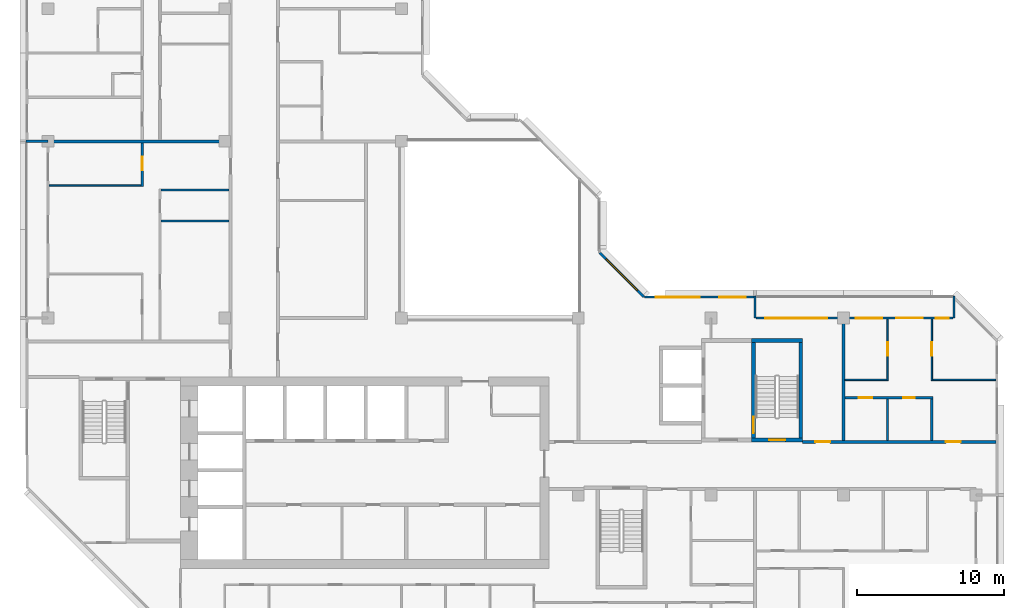
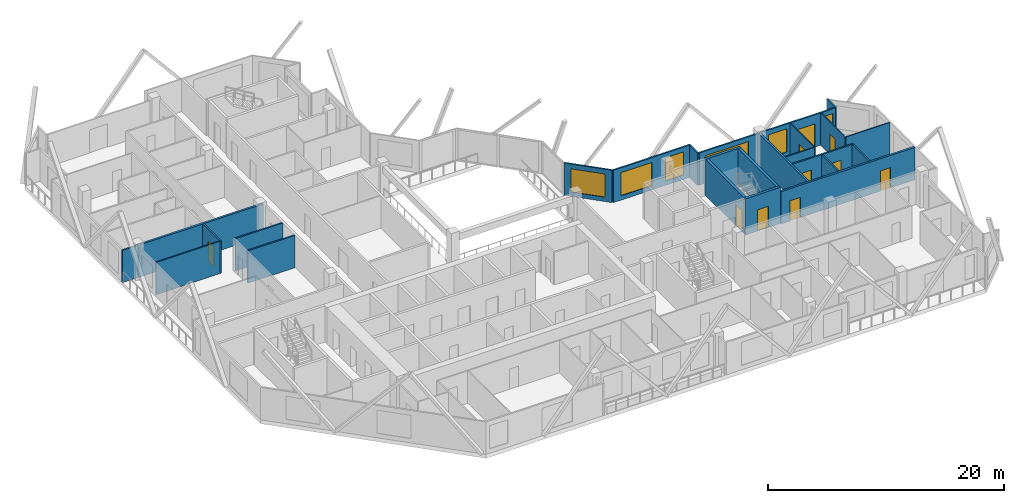
# One storey, part 8 of 13: 24 walls, 10 doors, 6 windows, 16 openings.
"""IFC4 building model written with IfcOpenShell, lengths in metres."""

from ifc_helpers import new_model, si_unit, direction, frame, frame_2d, origin, place, context, subcontext, project, spatial, rectangle, extrude, material, layer, layer_set, type_object, element, fill, save


model = new_model("IFC4")

# Units and contexts
model_context = context("Model", 3, precision=1e-05, world=origin(), true_north=direction((0.0, 1.0)))
body_context = subcontext(model_context, "Body", "Model", "MODEL_VIEW")
ifc_project = project(units=[si_unit("LENGTHUNIT", "METRE"), si_unit("AREAUNIT", "SQUARE_METRE"), si_unit("VOLUMEUNIT", "CUBIC_METRE"), si_unit("PLANEANGLEUNIT", "RADIAN"), si_unit("MASSUNIT", "GRAM", prefix="KILO")], contexts=[model_context])

# Site, building, storey
site_placement = place(None, origin())
site = spatial("IfcSite", under=ifc_project, at=site_placement, CompositionType="ELEMENT")
building_placement = place(site_placement, origin())
building = spatial("IfcBuilding", under=site, at=building_placement, Name="Chenar Terraces", CompositionType="ELEMENT")
storey_placement = place(building_placement, frame((0.0, 0.0, 288.39990234375)))
storey = spatial("IfcBuildingStorey", under=building, at=storey_placement, Name="L67", CompositionType="ELEMENT", Elevation=288.39990234375)

# Wall, opening, door
ifc_material_1 = material(Name="Concrete C50/60", Category="concrete")
ifc_layer_1 = layer(ifc_material_1, 0.25)
ifc_layer_set_1 = layer_set([ifc_layer_1], Name="Concrete C50/60")
wall_type_1 = type_object("IfcWallType", Name="Core wall 250 Concrete C50/60", PredefinedType="SHEAR", material=ifc_layer_set_1)
wall_1_placement = place(storey_placement, frame((47.77490234375, 15.72509765625, 0.0), z_axis=(0.0, 0.0, 1.0), x_axis=(1.0, 0.0, 0.0)))
wall_1 = element("IfcWall", 1, at=wall_1_placement, inside=storey, type_object=wall_type_1, Name="Core wall ST3_S L67", PredefinedType="SHEAR", context=body_context, shape_type="SweptSolid", body=[
    extrude(rectangle(XDim=3.4501953125, YDim=0.25, at=frame_2d((1.72509765625, 0.0))), origin(), (0.0, 0.0, 1.0), 3.75),
])
opening_1_placement = place(wall_1_placement, frame((1.175048828125, 0.0, 0.0)))
opening_1 = element("IfcOpeningElement", 2, at=opening_1_placement, cuts=wall_1, Name="Opening DL67-C8", PredefinedType="OPENING", context=body_context, shape_type="SweptSolid", body=[
    extrude(rectangle(XDim=1.10009765625, YDim=2.199951171875, at=frame_2d((0.550048828125, 1.10009765625))), frame((0.0, 0.135009765625, 0.0), z_axis=(0.0, -1.0, 0.0), x_axis=(1.0, 0.0, 0.0)), (0.0, 0.0, 1.0), 0.27001953125),
])
ifc_material_2 = material(Name="Steel-framed fire-resisting door leaf", Category="steel")
door_type_1 = type_object("IfcDoorType", Name="Stair fire door FD60 1100 x 2200", OperationType="SINGLE_SWING_LEFT", PredefinedType="DOOR", material=ifc_material_2)
door_1_placement = place(opening_1_placement, frame((1.10009765625, 0.0, 0.0), z_axis=(0.0, 0.0, 1.0), x_axis=(-1.0, 0.0, 0.0)))
door_1 = element("IfcDoor", 3, at=door_1_placement, inside=storey, type_object=door_type_1, Name="Stair door DL67-C8", OperationType="SINGLE_SWING_LEFT", OverallHeight=2.199951171875, OverallWidth=1.10009765625, PredefinedType="DOOR", context=body_context, shape_type="SweptSolid", body=[
    extrude(rectangle(XDim=1.10009765625, YDim=2.199951171875, at=frame_2d((0.550048828125, 1.10009765625))), frame((0.0, 0.02490234375, 0.0), z_axis=(0.0, -1.0, 0.0), x_axis=(1.0, 0.0, 0.0)), (0.0, 0.0, 1.0), 0.050048828125),
])
fill(opening_1, door_1)

# Wall
wall_2_placement = place(storey_placement, frame((47.77490234375, 22.47509765625, 0.0), z_axis=(0.0, 0.0, 1.0), x_axis=(1.0, 0.0, 0.0)))
element("IfcWall", 4, at=wall_2_placement, inside=storey, type_object=wall_type_1, Name="Core wall ST3_N L67", PredefinedType="SHEAR", context=body_context, shape_type="SweptSolid", body=[
    extrude(rectangle(XDim=3.4501953125, YDim=0.25, at=frame_2d((1.72509765625, 0.0))), origin(), (0.0, 0.0, 1.0), 3.75),
])

# Wall, opening, door
wall_3_placement = place(storey_placement, frame((47.89990234375, 15.85009765625, 0.0), z_axis=(0.0, 0.0, 1.0), x_axis=(0.0, 1.0, 0.0)))
wall_3 = element("IfcWall", 5, at=wall_3_placement, inside=storey, type_object=wall_type_1, Name="Core wall ST3_W L67", PredefinedType="SHEAR", context=body_context, shape_type="SweptSolid", body=[
    extrude(rectangle(XDim=6.5, YDim=0.25, at=frame_2d((3.25, 0.0))), origin(), (0.0, 0.0, 1.0), 3.75),
])
opening_2_placement = place(wall_3_placement, frame((0.35009765625, 0.0, 0.0)))
opening_2 = element("IfcOpeningElement", 6, at=opening_2_placement, cuts=wall_3, Name="Opening DL67-C11", PredefinedType="OPENING", context=body_context, shape_type="SweptSolid", body=[
    extrude(rectangle(XDim=1.10009765625, YDim=2.199951171875, at=frame_2d((0.550048828125, 1.10009765625))), frame((0.0, 0.135009765625, 0.0), z_axis=(0.0, -1.0, 0.0), x_axis=(1.0, 0.0, 0.0)), (0.0, 0.0, 1.0), 0.27001953125),
])
door_2_placement = place(opening_2_placement, frame((1.10009765625, 0.0, 0.0), z_axis=(0.0, 0.0, 1.0), x_axis=(-1.0, 0.0, 0.0)))
door_2 = element("IfcDoor", 7, at=door_2_placement, inside=storey, type_object=door_type_1, Name="Stair door DL67-C11", OperationType="SINGLE_SWING_RIGHT", OverallHeight=2.199951171875, OverallWidth=1.10009765625, PredefinedType="DOOR", context=body_context, shape_type="SweptSolid", body=[
    extrude(rectangle(XDim=1.10009765625, YDim=2.199951171875, at=frame_2d((0.550048828125, 1.10009765625))), frame((0.0, 0.02490234375, 0.0), z_axis=(0.0, -1.0, 0.0), x_axis=(1.0, 0.0, 0.0)), (0.0, 0.0, 1.0), 0.050048828125),
])
fill(opening_2, door_2)

# Wall
wall_4_placement = place(storey_placement, frame((51.10009765625, 15.85009765625, 0.0), z_axis=(0.0, 0.0, 1.0), x_axis=(0.0, 1.0, 0.0)))
element("IfcWall", 8, at=wall_4_placement, inside=storey, type_object=wall_type_1, Name="Core wall ST3_E L67", PredefinedType="SHEAR", context=body_context, shape_type="SweptSolid", body=[
    extrude(rectangle(XDim=6.5, YDim=0.25, at=frame_2d((3.25, 0.0))), origin(), (0.0, 0.0, 1.0), 3.75),
])

# Wall, openings, doors
ifc_material_3 = material(Name="Gypsum board on steel studs with fire boards", Category="steel")
ifc_layer_2 = layer(ifc_material_3, 0.199951171875)
ifc_layer_set_2 = layer_set([ifc_layer_2], Name="Gypsum board on steel studs with fire boards")
wall_type_2 = type_object("IfcWallType", Name="Corridor wall 200", PredefinedType="PARTITIONING", material=ifc_layer_set_2)
wall_5_placement = place(storey_placement, frame((51.22509765625, 15.60009765625, 0.0), z_axis=(0.0, 0.0, 1.0), x_axis=(1.0, 0.0, 0.0)))
wall_5 = element("IfcWall", 9, at=wall_5_placement, inside=storey, type_object=wall_type_2, Name="Partition L67-063", PredefinedType="PARTITIONING", context=body_context, shape_type="SweptSolid", body=[
    extrude(rectangle(XDim=13.125, YDim=0.199951171875, at=frame_2d((6.5625, 0.0))), origin(), (0.0, 0.0, 1.0), 3.35009765625),
])
opening_3_placement = place(wall_5_placement, frame((9.72509765625, 0.0, 0.0)))
opening_3 = element("IfcOpeningElement", 10, at=opening_3_placement, cuts=wall_5, Name="Opening DL67-8", PredefinedType="OPENING", context=body_context, shape_type="SweptSolid", body=[
    extrude(rectangle(XDim=1.0, YDim=2.10009765625, at=frame_2d((0.5, 1.050048828125))), frame((0.0, 0.10986328125, 0.0), z_axis=(0.0, -1.0, 0.0), x_axis=(1.0, 0.0, 0.0)), (0.0, 0.0, 1.0), 0.219970703125),
])
opening_4_placement = place(wall_5_placement, frame((0.875, 0.0, 0.0)))
opening_4 = element("IfcOpeningElement", 11, at=opening_4_placement, cuts=wall_5, Name="Opening DL67-33", PredefinedType="OPENING", context=body_context, shape_type="SweptSolid", body=[
    extrude(rectangle(XDim=1.0, YDim=2.10009765625, at=frame_2d((0.5, 1.050048828125))), frame((0.0, 0.10986328125, 0.0), z_axis=(0.0, -1.0, 0.0), x_axis=(1.0, 0.0, 0.0)), (0.0, 0.0, 1.0), 0.219970703125),
])
ifc_material_4 = material(Name="Steel-framed fire-resisting door leaf", Category="steel")
door_type_2 = type_object("IfcDoorType", Name="Fire door FD30S 1000 x 2100", OperationType="SINGLE_SWING_LEFT", PredefinedType="DOOR", material=ifc_material_4)
door_3_placement = place(opening_3_placement, origin())
door_3 = element("IfcDoor", 12, at=door_3_placement, inside=storey, type_object=door_type_2, Name="Door DL67-8", OperationType="SINGLE_SWING_LEFT", OverallHeight=2.10009765625, OverallWidth=1.0, PredefinedType="DOOR", context=body_context, shape_type="SweptSolid", body=[
    extrude(rectangle(XDim=1.0, YDim=2.10009765625, at=frame_2d((0.5, 1.050048828125))), frame((0.0, 0.02490234375, 0.0), z_axis=(0.0, -1.0, 0.0), x_axis=(1.0, 0.0, 0.0)), (0.0, 0.0, 1.0), 0.050048828125),
])
fill(opening_3, door_3)
door_4_placement = place(opening_4_placement, origin())
door_4 = element("IfcDoor", 13, at=door_4_placement, inside=storey, type_object=door_type_2, Name="Door DL67-33", OperationType="SINGLE_SWING_RIGHT", OverallHeight=2.10009765625, OverallWidth=1.0, PredefinedType="DOOR", context=body_context, shape_type="SweptSolid", body=[
    extrude(rectangle(XDim=1.0, YDim=2.10009765625, at=frame_2d((0.5, 1.050048828125))), frame((0.0, 0.02490234375, 0.0), z_axis=(0.0, -1.0, 0.0), x_axis=(1.0, 0.0, 0.0)), (0.0, 0.0, 1.0), 0.050048828125),
])
fill(opening_4, door_4)

# Wall, openings, windows
ifc_material_5 = material(Name="Aluminium framed glazing", Category="aluminium")
ifc_layer_3 = layer(ifc_material_5, 0.14990234375)
ifc_layer_set_3 = layer_set([ifc_layer_3], Name="Aluminium framed glazing")
wall_type_3 = type_object("IfcWallType", Name="Glazed flush facade wall 150", PredefinedType="SOLIDWALL", material=ifc_layer_set_3)
wall_6_placement = place(storey_placement, frame((47.925048828125, 25.425048828125, 0.0), z_axis=(0.0, 0.0, 1.0), x_axis=(-1.0, 0.0, 0.0)))
wall_6 = element("IfcWall", 14, at=wall_6_placement, inside=storey, type_object=wall_type_3, Name="Glazed flush facade wall", PredefinedType="SOLIDWALL", context=body_context, shape_type="SweptSolid", body=[
    extrude(rectangle(XDim=7.425048828125, YDim=0.14990234375, at=frame_2d((3.71240234375, 0.0))), origin(), (0.0, 0.0, 1.0), 3.35009765625),
])
opening_5_placement = place(wall_6_placement, frame((0.5625, 0.0, 0.449951171875)))
opening_5 = element("IfcOpeningElement", 15, at=opening_5_placement, cuts=wall_6, Name="Opening W180x240", PredefinedType="OPENING", context=body_context, shape_type="SweptSolid", body=[
    extrude(rectangle(XDim=1.800048828125, YDim=2.39990234375, at=frame_2d((0.89990234375, 1.199951171875))), frame((0.0, 0.0849609375, 0.0), z_axis=(0.0, -1.0, 0.0), x_axis=(1.0, 0.0, 0.0)), (0.0, 0.0, 1.0), 0.169921875),
])
opening_6_placement = place(wall_6_placement, frame((3.675048828125, 0.0, 0.449951171875)))
opening_6 = element("IfcOpeningElement", 16, at=opening_6_placement, cuts=wall_6, Name="Opening W300x240", PredefinedType="OPENING", context=body_context, shape_type="SweptSolid", body=[
    extrude(rectangle(XDim=3.0, YDim=2.39990234375, at=frame_2d((1.5, 1.199951171875))), frame((0.0, 0.0849609375, 0.0), z_axis=(0.0, -1.0, 0.0), x_axis=(1.0, 0.0, 0.0)), (0.0, 0.0, 1.0), 0.169921875),
])
ifc_material_6 = material(Name="Low emissivity double glazing, aluminium frame", Category="aluminium")
window_type_1 = type_object("IfcWindowType", Name="Fixed light 1800 x 2400", PartitioningType="SINGLE_PANEL", PredefinedType="WINDOW", material=ifc_material_6)
window_1_placement = place(opening_5_placement, origin())
window_1 = element("IfcWindow", 17, at=window_1_placement, inside=storey, type_object=window_type_1, Name="Window", OverallHeight=2.39990234375, OverallWidth=1.800048828125, PartitioningType="SINGLE_PANEL", PredefinedType="WINDOW", context=body_context, shape_type="SweptSolid", body=[
    extrude(rectangle(XDim=1.800048828125, YDim=2.39990234375, at=frame_2d((0.89990234375, 1.199951171875))), frame((0.0, 0.030029296875, 0.0), z_axis=(0.0, -1.0, 0.0), x_axis=(1.0, 0.0, 0.0)), (0.0, 0.0, 1.0), 0.06005859375),
])
fill(opening_5, window_1)
ifc_material_7 = material(Name="Low emissivity double glazing, aluminium frame", Category="aluminium")
window_type_2 = type_object("IfcWindowType", Name="Fixed light 3000 x 2400", PartitioningType="SINGLE_PANEL", PredefinedType="WINDOW", material=ifc_material_7)
window_2_placement = place(opening_6_placement, origin())
window_2 = element("IfcWindow", 18, at=window_2_placement, inside=storey, type_object=window_type_2, Name="Window", OverallHeight=2.39990234375, OverallWidth=3.0, PartitioningType="SINGLE_PANEL", PredefinedType="WINDOW", context=body_context, shape_type="SweptSolid", body=[
    extrude(rectangle(XDim=3.0, YDim=2.39990234375, at=frame_2d((1.5, 1.199951171875))), frame((0.0, 0.030029296875, 0.0), z_axis=(0.0, -1.0, 0.0), x_axis=(1.0, 0.0, 0.0)), (0.0, 0.0, 1.0), 0.06005859375),
])
fill(opening_6, window_2)

# Wall, openings, windows, door
ifc_material_8 = material(Name="Aluminium framed glazing", Category="aluminium")
ifc_layer_4 = layer(ifc_material_8, 0.14990234375)
ifc_layer_set_4 = layer_set([ifc_layer_4], Name="Aluminium framed glazing")
wall_type_4 = type_object("IfcWallType", Name="Glazed loggia back wall 150", PredefinedType="SOLIDWALL", material=ifc_layer_set_4)
wall_7_placement = place(storey_placement, frame((61.425048828125, 24.0, 0.0), z_axis=(0.0, 0.0, 1.0), x_axis=(-1.0, 0.0, 0.0)))
wall_7 = element("IfcWall", 19, at=wall_7_placement, inside=storey, type_object=wall_type_4, Name="Glazed loggia back wall", PredefinedType="SOLIDWALL", context=body_context, shape_type="SweptSolid", body=[
    extrude(rectangle(XDim=13.35009765625, YDim=0.14990234375, at=frame_2d((6.675048828125, 0.0))), origin(), (0.0, 0.0, 1.0), 3.35009765625),
])
opening_7_placement = place(wall_7_placement, frame((0.262451171875, 0.0, 0.449951171875)))
opening_7 = element("IfcOpeningElement", 20, at=opening_7_placement, cuts=wall_7, Name="Opening W90x240", PredefinedType="OPENING", context=body_context, shape_type="SweptSolid", body=[
    extrude(rectangle(XDim=0.89990234375, YDim=2.39990234375, at=frame_2d((0.449951171875, 1.199951171875))), frame((0.0, 0.0849609375, 0.0), z_axis=(0.0, -1.0, 0.0), x_axis=(1.0, 0.0, 0.0)), (0.0, 0.0, 1.0), 0.169921875),
])
opening_8_placement = place(wall_7_placement, frame((2.02490234375, 0.0, 0.0)))
opening_8 = element("IfcOpeningElement", 21, at=opening_8_placement, cuts=wall_7, Name="Opening DL67-G1", PredefinedType="OPENING", context=body_context, shape_type="SweptSolid", body=[
    extrude(rectangle(XDim=1.800048828125, YDim=2.39990234375, at=frame_2d((0.89990234375, 1.199951171875))), frame((0.0, 0.0849609375, 0.0), z_axis=(0.0, -1.0, 0.0), x_axis=(1.0, 0.0, 0.0)), (0.0, 0.0, 1.0), 0.169921875),
])
opening_9_placement = place(wall_7_placement, frame((4.77490234375, 0.0, 0.449951171875)))
opening_9 = element("IfcOpeningElement", 22, at=opening_9_placement, cuts=wall_7, Name="Opening W180x240", PredefinedType="OPENING", context=body_context, shape_type="SweptSolid", body=[
    extrude(rectangle(XDim=1.800048828125, YDim=2.39990234375, at=frame_2d((0.89990234375, 1.199951171875))), frame((0.0, 0.0849609375, 0.0), z_axis=(0.0, -1.0, 0.0), x_axis=(1.0, 0.0, 0.0)), (0.0, 0.0, 1.0), 0.169921875),
])
opening_10_placement = place(wall_7_placement, frame((8.53759765625, 0.0, 0.449951171875)))
opening_10 = element("IfcOpeningElement", 23, at=opening_10_placement, cuts=wall_7, Name="Opening W420x240", PredefinedType="OPENING", context=body_context, shape_type="SweptSolid", body=[
    extrude(rectangle(XDim=4.199951171875, YDim=2.39990234375, at=frame_2d((2.10009765625, 1.199951171875))), frame((0.0, 0.0849609375, 0.0), z_axis=(0.0, -1.0, 0.0), x_axis=(1.0, 0.0, 0.0)), (0.0, 0.0, 1.0), 0.169921875),
])
window_3_placement = place(opening_9_placement, origin())
window_3 = element("IfcWindow", 24, at=window_3_placement, inside=storey, type_object=window_type_1, Name="Window", OverallHeight=2.39990234375, OverallWidth=1.800048828125, PartitioningType="SINGLE_PANEL", PredefinedType="WINDOW", context=body_context, shape_type="SweptSolid", body=[
    extrude(rectangle(XDim=1.800048828125, YDim=2.39990234375, at=frame_2d((0.89990234375, 1.199951171875))), frame((0.0, 0.030029296875, 0.0), z_axis=(0.0, -1.0, 0.0), x_axis=(1.0, 0.0, 0.0)), (0.0, 0.0, 1.0), 0.06005859375),
])
fill(opening_9, window_3)
ifc_material_9 = material(Name="Low emissivity double glazing, aluminium frame", Category="aluminium")
window_type_3 = type_object("IfcWindowType", Name="Fixed light 4200 x 2400", PartitioningType="SINGLE_PANEL", PredefinedType="WINDOW", material=ifc_material_9)
window_4_placement = place(opening_10_placement, origin())
window_4 = element("IfcWindow", 25, at=window_4_placement, inside=storey, type_object=window_type_3, Name="Window", OverallHeight=2.39990234375, OverallWidth=4.199951171875, PartitioningType="SINGLE_PANEL", PredefinedType="WINDOW", context=body_context, shape_type="SweptSolid", body=[
    extrude(rectangle(XDim=4.199951171875, YDim=2.39990234375, at=frame_2d((2.10009765625, 1.199951171875))), frame((0.0, 0.030029296875, 0.0), z_axis=(0.0, -1.0, 0.0), x_axis=(1.0, 0.0, 0.0)), (0.0, 0.0, 1.0), 0.06005859375),
])
fill(opening_10, window_4)
ifc_material_10 = material(Name="Low emissivity double glazing, aluminium frame", Category="aluminium")
window_type_4 = type_object("IfcWindowType", Name="Fixed light 900 x 2400", PartitioningType="SINGLE_PANEL", PredefinedType="WINDOW", material=ifc_material_10)
window_5_placement = place(opening_7_placement, origin())
window_5 = element("IfcWindow", 26, at=window_5_placement, inside=storey, type_object=window_type_4, Name="Window", OverallHeight=2.39990234375, OverallWidth=0.89990234375, PartitioningType="SINGLE_PANEL", PredefinedType="WINDOW", context=body_context, shape_type="SweptSolid", body=[
    extrude(rectangle(XDim=0.89990234375, YDim=2.39990234375, at=frame_2d((0.449951171875, 1.199951171875))), frame((0.0, 0.030029296875, 0.0), z_axis=(0.0, -1.0, 0.0), x_axis=(1.0, 0.0, 0.0)), (0.0, 0.0, 1.0), 0.06005859375),
])
fill(opening_7, window_5)
ifc_material_11 = material(Name="Low emissivity double glazing, aluminium frame", Category="aluminium")
door_type_3 = type_object("IfcDoorType", Name="Loggia glazed double door 1800 x 2400", OperationType="DOUBLE_DOOR_SINGLE_SWING", PredefinedType="DOOR", material=ifc_material_11)
door_5_placement = place(opening_8_placement, frame((1.800048828125, 0.0, 0.0), z_axis=(0.0, 0.0, 1.0), x_axis=(-1.0, 0.0, 0.0)))
door_5 = element("IfcDoor", 27, at=door_5_placement, inside=storey, type_object=door_type_3, Name="Loggia glazed door", OperationType="DOUBLE_DOOR_SINGLE_SWING", OverallHeight=2.39990234375, OverallWidth=1.800048828125, PredefinedType="DOOR", context=body_context, shape_type="SweptSolid", body=[
    extrude(rectangle(XDim=1.800048828125, YDim=2.39990234375, at=frame_2d((0.89990234375, 1.199951171875))), frame((0.0, 0.02490234375, 0.0), z_axis=(0.0, -1.0, 0.0), x_axis=(1.0, 0.0, 0.0)), (0.0, 0.0, 1.0), 0.050048828125),
])
fill(opening_8, door_5)

# Walls
ifc_material_12 = material(Name="Gypsum board on steel studs", Category="steel")
ifc_layer_5 = layer(ifc_material_12, 0.10009765625)
ifc_layer_set_5 = layer_set([ifc_layer_5], Name="Gypsum board on steel studs")
wall_type_5 = type_object("IfcWallType", Name="Gypsum partition 100", PredefinedType="PARTITIONING", material=ifc_layer_set_5)
wall_8_placement = place(storey_placement, frame((0.073974609375, 33.0, 0.0), z_axis=(0.0, 0.0, 1.0), x_axis=(1.0, 0.0, 0.0)))
element("IfcWall", 28, at=wall_8_placement, inside=storey, type_object=wall_type_5, Name="Partition L67-008", PredefinedType="PARTITIONING", context=body_context, shape_type="SweptSolid", body=[
    extrude(rectangle(XDim=6.2509765625, YDim=0.10009765625, at=frame_2d((3.12548828125, 0.0))), origin(), (0.0, 0.0, 1.0), 3.35009765625),
])
wall_9_placement = place(storey_placement, frame((54.10009765625, 19.800048828125, 0.0), z_axis=(0.0, 0.0, 1.0), x_axis=(1.0, 0.0, 0.0)))
element("IfcWall", 29, at=wall_9_placement, inside=storey, type_object=wall_type_5, Name="Partition L67-067", PredefinedType="PARTITIONING", context=body_context, shape_type="SweptSolid", body=[
    extrude(rectangle(XDim=2.849853515625, YDim=0.10009765625, at=frame_2d((1.4248046875, 0.0))), origin(), (0.0, 0.0, 1.0), 3.35009765625),
])

# Wall, opening, door
wall_10_placement = place(storey_placement, frame((57.0, 19.75, 0.0), z_axis=(0.0, 0.0, 1.0), x_axis=(0.0, 1.0, 0.0)))
wall_10 = element("IfcWall", 30, at=wall_10_placement, inside=storey, type_object=wall_type_5, Name="Partition L67-070", PredefinedType="PARTITIONING", context=body_context, shape_type="SweptSolid", body=[
    extrude(rectangle(XDim=4.176025390625, YDim=0.10009765625, at=frame_2d((2.087890625, 0.0))), origin(), (0.0, 0.0, 1.0), 3.35009765625),
])
opening_11_placement = place(wall_10_placement, frame((1.699951171875, 0.0, 0.0)))
opening_11 = element("IfcOpeningElement", 31, at=opening_11_placement, cuts=wall_10, Name="Opening DL67-5", PredefinedType="OPENING", context=body_context, shape_type="SweptSolid", body=[
    extrude(rectangle(XDim=0.89990234375, YDim=2.10009765625, at=frame_2d((0.449951171875, 1.050048828125))), frame((0.0, 0.06005859375, 0.0), z_axis=(0.0, -1.0, 0.0), x_axis=(1.0, 0.0, 0.0)), (0.0, 0.0, 1.0), 0.1201171875),
])
ifc_material_13 = material(Name="Veneered timber door leaf", Category="wood")
door_type_4 = type_object("IfcDoorType", Name="Door 900 x 2100", OperationType="SINGLE_SWING_LEFT", PredefinedType="DOOR", material=ifc_material_13)
door_6_placement = place(opening_11_placement, origin())
door_6 = element("IfcDoor", 32, at=door_6_placement, inside=storey, type_object=door_type_4, Name="Door DL67-5", OperationType="SINGLE_SWING_LEFT", OverallHeight=2.10009765625, OverallWidth=0.89990234375, PredefinedType="DOOR", context=body_context, shape_type="SweptSolid", body=[
    extrude(rectangle(XDim=0.89990234375, YDim=2.10009765625, at=frame_2d((0.449951171875, 1.050048828125))), frame((0.0, 0.02490234375, 0.0), z_axis=(0.0, -1.0, 0.0), x_axis=(1.0, 0.0, 0.0)), (0.0, 0.0, 1.0), 0.050048828125),
])
fill(opening_11, door_6)

wall_11_placement = place(storey_placement, frame((60.0, 19.75, 0.0), z_axis=(0.0, 0.0, 1.0), x_axis=(0.0, 1.0, 0.0)))
wall_11 = element("IfcWall", 33, at=wall_11_placement, inside=storey, type_object=wall_type_5, Name="Partition L67-074", PredefinedType="PARTITIONING", context=body_context, shape_type="SweptSolid", body=[
    extrude(rectangle(XDim=4.176025390625, YDim=0.10009765625, at=frame_2d((2.087890625, 0.0))), origin(), (0.0, 0.0, 1.0), 3.35009765625),
])
opening_12_placement = place(wall_11_placement, frame((1.699951171875, 0.0, 0.0)))
opening_12 = element("IfcOpeningElement", 34, at=opening_12_placement, cuts=wall_11, Name="Opening DL67-6", PredefinedType="OPENING", context=body_context, shape_type="SweptSolid", body=[
    extrude(rectangle(XDim=0.89990234375, YDim=2.10009765625, at=frame_2d((0.449951171875, 1.050048828125))), frame((0.0, 0.06005859375, 0.0), z_axis=(0.0, -1.0, 0.0), x_axis=(1.0, 0.0, 0.0)), (0.0, 0.0, 1.0), 0.1201171875),
])
door_7_placement = place(opening_12_placement, frame((0.89990234375, 0.0, 0.0), z_axis=(0.0, 0.0, 1.0), x_axis=(-1.0, 0.0, 0.0)))
door_7 = element("IfcDoor", 35, at=door_7_placement, inside=storey, type_object=door_type_4, Name="Door DL67-6", OperationType="SINGLE_SWING_RIGHT", OverallHeight=2.10009765625, OverallWidth=0.89990234375, PredefinedType="DOOR", context=body_context, shape_type="SweptSolid", body=[
    extrude(rectangle(XDim=0.89990234375, YDim=2.10009765625, at=frame_2d((0.449951171875, 1.050048828125))), frame((0.0, 0.02490234375, 0.0), z_axis=(0.0, -1.0, 0.0), x_axis=(1.0, 0.0, 0.0)), (0.0, 0.0, 1.0), 0.050048828125),
])
fill(opening_12, door_7)

# Walls
wall_12_placement = place(storey_placement, frame((60.050048828125, 19.800048828125, 0.0), z_axis=(0.0, 0.0, 1.0), x_axis=(1.0, 0.0, 0.0)))
element("IfcWall", 36, at=wall_12_placement, inside=storey, type_object=wall_type_5, Name="Partition L67-076", PredefinedType="PARTITIONING", context=body_context, shape_type="SweptSolid", body=[
    extrude(rectangle(XDim=4.300048828125, YDim=0.10009765625, at=frame_2d((2.14990234375, 0.0))), origin(), (0.0, 0.0, 1.0), 3.35009765625),
])
ifc_material_14 = material(Name="Terracotta cladding on insulated backing", Category="masonry")
ifc_layer_6 = layer(ifc_material_14, 0.14990234375)
ifc_layer_set_6 = layer_set([ifc_layer_6], Name="Terracotta cladding on insulated backing")
wall_type_6 = type_object("IfcWallType", Name="Loggia return wall 150", PredefinedType="SOLIDWALL", material=ifc_layer_set_6)
for number, where, z_axis, x_axis, name in (
    (37, (61.5, 25.5, 0.0), (0.0, 0.0, 1.0), (0.0, -1.0, 0.0), "Loggia return wall"),
    (38, (48.0, 25.5, 0.0), (0.0, 0.0, 1.0), (0.0, -1.0, 0.0), "Loggia return wall"),
    (39, (-1.5, 36.0, 0.0), (0.0, 0.0, 1.0), (1.0, 0.0, 0.0), "Loggia return wall"),
):
    element("IfcWall", number, at=place(storey_placement, frame(where, z_axis=z_axis, x_axis=x_axis)), inside=storey, type_object=wall_type_6, Name=name, PredefinedType="SOLIDWALL", context=body_context, shape_type="SweptSolid", body=[
        extrude(rectangle(XDim=1.5, YDim=0.14990234375, at=frame_2d((0.75, 0.0))), origin(), (0.0, 0.0, 1.0), 3.35009765625),
    ])

# Wall, opening, window
ifc_material_15 = material(Name="Terracotta cladding on insulated backing", Category="masonry")
ifc_layer_7 = layer(ifc_material_15, 0.14990234375)
ifc_layer_set_7 = layer_set([ifc_layer_7], Name="Terracotta cladding on insulated backing")
wall_type_7 = type_object("IfcWallType", Name="Terracotta rainscreen wall 150", PredefinedType="SOLIDWALL", material=ifc_layer_set_7)
wall_13_placement = place(storey_placement, frame((40.447021484375, 25.447021484375, 0.0), z_axis=(0.0, 0.0, 1.0), x_axis=(-0.707106781187, 0.707106781187, 0.0)))
wall_13 = element("IfcWall", 40, at=wall_13_placement, inside=storey, type_object=wall_type_7, Name="Terracotta rainscreen wall", PredefinedType="SOLIDWALL", context=body_context, shape_type="SweptSolid", body=[
    extrude(rectangle(XDim=4.24267578125, YDim=0.14990234375, at=frame_2d((2.121337890625, 0.0))), origin(), (0.0, 0.0, 1.0), 3.35009765625),
])
opening_13_placement = place(wall_13_placement, frame((0.621337890625, 0.0, 0.449951171875)))
opening_13 = element("IfcOpeningElement", 41, at=opening_13_placement, cuts=wall_13, Name="Opening W300x240", PredefinedType="OPENING", context=body_context, shape_type="SweptSolid", body=[
    extrude(rectangle(XDim=3.0, YDim=2.39990234375, at=frame_2d((1.5, 1.199951171875))), frame((0.0, 0.0849609375, 0.0), z_axis=(0.0, -1.0, 0.0), x_axis=(1.0, 0.0, 0.0)), (0.0, 0.0, 1.0), 0.169921875),
])
window_6_placement = place(opening_13_placement, origin())
window_6 = element("IfcWindow", 42, at=window_6_placement, inside=storey, type_object=window_type_2, Name="Window", OverallHeight=2.39990234375, OverallWidth=3.0, PartitioningType="SINGLE_PANEL", PredefinedType="WINDOW", context=body_context, shape_type="SweptSolid", body=[
    extrude(rectangle(XDim=3.0, YDim=2.39990234375, at=frame_2d((1.5, 1.199951171875))), frame((0.0, 0.030029296875, 0.0), z_axis=(0.0, -1.0, 0.0), x_axis=(1.0, 0.0, 0.0)), (0.0, 0.0, 1.0), 0.06005859375),
])
fill(opening_13, window_6)

# Walls
ifc_material_16 = material(Name="Twin gypsum board on steel studs with mineral wool", Category="steel")
ifc_layer_8 = layer(ifc_material_16, 0.199951171875)
ifc_layer_set_8 = layer_set([ifc_layer_8], Name="Twin gypsum board on steel studs with mineral wool")
wall_type_8 = type_object("IfcWallType", Name="Unit demising wall 200", PredefinedType="PARTITIONING", material=ifc_layer_set_8)
wall_14_placement = place(storey_placement, frame((0.0, 36.0, 0.0), z_axis=(0.0, 0.0, 1.0), x_axis=(1.0, 0.0, 0.0)))
element("IfcWall", 43, at=wall_14_placement, inside=storey, type_object=wall_type_8, Name="Partition L67-005", PredefinedType="PARTITIONING", context=body_context, shape_type="SweptSolid", body=[
    extrude(rectangle(XDim=12.300048828125, YDim=0.199951171875, at=frame_2d((6.14990234375, 0.0))), origin(), (0.0, 0.0, 1.0), 3.35009765625),
])
wall_15_placement = place(storey_placement, frame((54.0, 15.699951171875, 0.0), z_axis=(0.0, 0.0, 1.0), x_axis=(0.0, 1.0, 0.0)))
element("IfcWall", 44, at=wall_15_placement, inside=storey, type_object=wall_type_8, Name="Partition L67-065", PredefinedType="PARTITIONING", context=body_context, shape_type="SweptSolid", body=[
    extrude(rectangle(XDim=8.22607421875, YDim=0.199951171875, at=frame_2d((4.113037109375, 0.0))), origin(), (0.0, 0.0, 1.0), 3.35009765625),
])

# Wall, opening, door
ifc_material_17 = material(Name="Moisture-resistant gypsum board on steel studs", Category="steel")
ifc_layer_9 = layer(ifc_material_17, 0.14990234375)
ifc_layer_set_9 = layer_set([ifc_layer_9], Name="Moisture-resistant gypsum board on steel studs")
wall_type_9 = type_object("IfcWallType", Name="Wet-room partition 150", PredefinedType="PARTITIONING", material=ifc_layer_set_9)
wall_16_placement = place(storey_placement, frame((6.39990234375, 32.949951171875, 0.0), z_axis=(0.0, 0.0, 1.0), x_axis=(0.0, 1.0, 0.0)))
wall_16 = element("IfcWall", 45, at=wall_16_placement, inside=storey, type_object=wall_type_9, Name="Partition L67-015", PredefinedType="PARTITIONING", context=body_context, shape_type="SweptSolid", body=[
    extrude(rectangle(XDim=2.949951171875, YDim=0.14990234375, at=frame_2d((1.47509765625, 0.0))), origin(), (0.0, 0.0, 1.0), 3.35009765625),
])
opening_14_placement = place(wall_16_placement, frame((1.10009765625, 0.0, 0.0)))
opening_14 = element("IfcOpeningElement", 46, at=opening_14_placement, cuts=wall_16, Name="Opening DL67-50", PredefinedType="OPENING", context=body_context, shape_type="SweptSolid", body=[
    extrude(rectangle(XDim=0.89990234375, YDim=2.10009765625, at=frame_2d((0.449951171875, 1.050048828125))), frame((0.0, 0.0849609375, 0.0), z_axis=(0.0, -1.0, 0.0), x_axis=(1.0, 0.0, 0.0)), (0.0, 0.0, 1.0), 0.169921875),
])
door_8_placement = place(opening_14_placement, origin())
door_8 = element("IfcDoor", 47, at=door_8_placement, inside=storey, type_object=door_type_4, Name="Door DL67-50", OperationType="SINGLE_SWING_RIGHT", OverallHeight=2.10009765625, OverallWidth=0.89990234375, PredefinedType="DOOR", context=body_context, shape_type="SweptSolid", body=[
    extrude(rectangle(XDim=0.89990234375, YDim=2.10009765625, at=frame_2d((0.449951171875, 1.050048828125))), frame((0.0, 0.02490234375, 0.0), z_axis=(0.0, -1.0, 0.0), x_axis=(1.0, 0.0, 0.0)), (0.0, 0.0, 1.0), 0.050048828125),
])
fill(opening_14, door_8)

# Walls
for number, where, z_axis, x_axis, name in (
    (48, (7.675048828125, 30.60009765625, 0.0), (0.0, 0.0, 1.0), (1.0, 0.0, 0.0), "Partition L67-019"),
    (49, (7.675048828125, 32.699951171875, 0.0), (0.0, 0.0, 1.0), (1.0, 0.0, 0.0), "Partition L67-020"),
):
    element("IfcWall", number, at=place(storey_placement, frame(where, z_axis=z_axis, x_axis=x_axis)), inside=storey, type_object=wall_type_9, Name=name, PredefinedType="PARTITIONING", context=body_context, shape_type="SweptSolid", body=[
        extrude(rectangle(XDim=4.625, YDim=0.14990234375, at=frame_2d((2.3125, 0.0))), origin(), (0.0, 0.0, 1.0), 3.35009765625),
    ])

# Wall, openings, doors
wall_17_placement = place(storey_placement, frame((54.10009765625, 18.60009765625, 0.0), z_axis=(0.0, 0.0, 1.0), x_axis=(1.0, 0.0, 0.0)))
wall_17 = element("IfcWall", 50, at=wall_17_placement, inside=storey, type_object=wall_type_9, Name="Partition L67-066", PredefinedType="PARTITIONING", context=body_context, shape_type="SweptSolid", body=[
    extrude(rectangle(XDim=5.974853515625, YDim=0.14990234375, at=frame_2d((2.9873046875, 0.0))), origin(), (0.0, 0.0, 1.0), 3.35009765625),
])
opening_15_placement = place(wall_17_placement, frame((3.949951171875, 0.0, 0.0)))
opening_15 = element("IfcOpeningElement", 51, at=opening_15_placement, cuts=wall_17, Name="Opening DL67-4", PredefinedType="OPENING", context=body_context, shape_type="SweptSolid", body=[
    extrude(rectangle(XDim=0.800048828125, YDim=2.10009765625, at=frame_2d((0.39990234375, 1.050048828125))), frame((0.0, 0.0849609375, 0.0), z_axis=(0.0, -1.0, 0.0), x_axis=(1.0, 0.0, 0.0)), (0.0, 0.0, 1.0), 0.169921875),
])
opening_16_placement = place(wall_17_placement, frame((0.949951171875, 0.0, 0.0)))
opening_16 = element("IfcOpeningElement", 52, at=opening_16_placement, cuts=wall_17, Name="Opening DL67-7", PredefinedType="OPENING", context=body_context, shape_type="SweptSolid", body=[
    extrude(rectangle(XDim=0.89990234375, YDim=2.10009765625, at=frame_2d((0.449951171875, 1.050048828125))), frame((0.0, 0.0849609375, 0.0), z_axis=(0.0, -1.0, 0.0), x_axis=(1.0, 0.0, 0.0)), (0.0, 0.0, 1.0), 0.169921875),
])
ifc_material_18 = material(Name="Veneered timber door leaf", Category="wood")
door_type_5 = type_object("IfcDoorType", Name="Door 800 x 2100", OperationType="SINGLE_SWING_LEFT", PredefinedType="DOOR", material=ifc_material_18)
door_9_placement = place(opening_15_placement, frame((0.800048828125, 0.0, 0.0), z_axis=(0.0, 0.0, 1.0), x_axis=(-1.0, 0.0, 0.0)))
door_9 = element("IfcDoor", 53, at=door_9_placement, inside=storey, type_object=door_type_5, Name="Door DL67-4", OperationType="SINGLE_SWING_RIGHT", OverallHeight=2.10009765625, OverallWidth=0.800048828125, PredefinedType="DOOR", context=body_context, shape_type="SweptSolid", body=[
    extrude(rectangle(XDim=0.800048828125, YDim=2.10009765625, at=frame_2d((0.39990234375, 1.050048828125))), frame((0.0, 0.02490234375, 0.0), z_axis=(0.0, -1.0, 0.0), x_axis=(1.0, 0.0, 0.0)), (0.0, 0.0, 1.0), 0.050048828125),
])
fill(opening_15, door_9)
door_10_placement = place(opening_16_placement, frame((0.89990234375, 0.0, 0.0), z_axis=(0.0, 0.0, 1.0), x_axis=(-1.0, 0.0, 0.0)))
door_10 = element("IfcDoor", 54, at=door_10_placement, inside=storey, type_object=door_type_4, Name="Door DL67-7", OperationType="SINGLE_SWING_LEFT", OverallHeight=2.10009765625, OverallWidth=0.89990234375, PredefinedType="DOOR", context=body_context, shape_type="SweptSolid", body=[
    extrude(rectangle(XDim=0.89990234375, YDim=2.10009765625, at=frame_2d((0.449951171875, 1.050048828125))), frame((0.0, 0.02490234375, 0.0), z_axis=(0.0, -1.0, 0.0), x_axis=(1.0, 0.0, 0.0)), (0.0, 0.0, 1.0), 0.050048828125),
])
fill(opening_16, door_10)

# Walls
for number, where, z_axis, x_axis, name in (
    (55, (57.0, 15.699951171875, 0.0), (0.0, 0.0, 1.0), (0.0, 1.0, 0.0), "Partition L67-069"),
    (56, (60.0, 15.699951171875, 0.0), (0.0, 0.0, 1.0), (0.0, 1.0, 0.0), "Partition L67-073"),
):
    element("IfcWall", number, at=place(storey_placement, frame(where, z_axis=z_axis, x_axis=x_axis)), inside=storey, type_object=wall_type_9, Name=name, PredefinedType="PARTITIONING", context=body_context, shape_type="SweptSolid", body=[
        extrude(rectangle(XDim=2.824951171875, YDim=0.14990234375, at=frame_2d((1.41259765625, 0.0))), origin(), (0.0, 0.0, 1.0), 3.35009765625),
    ])

save(model, "model.ifc")
